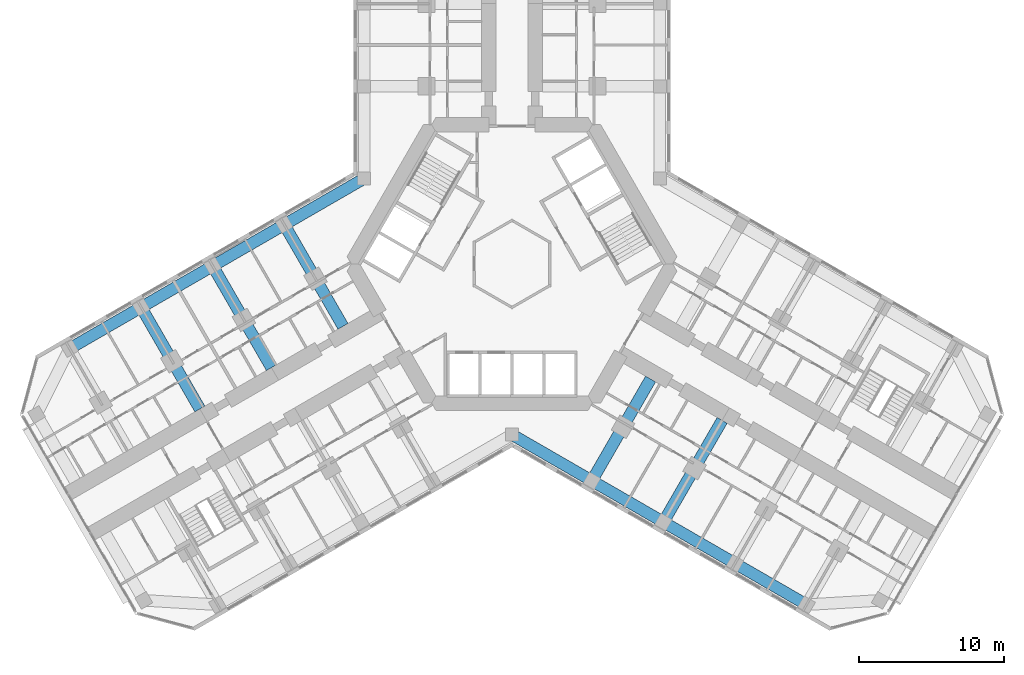
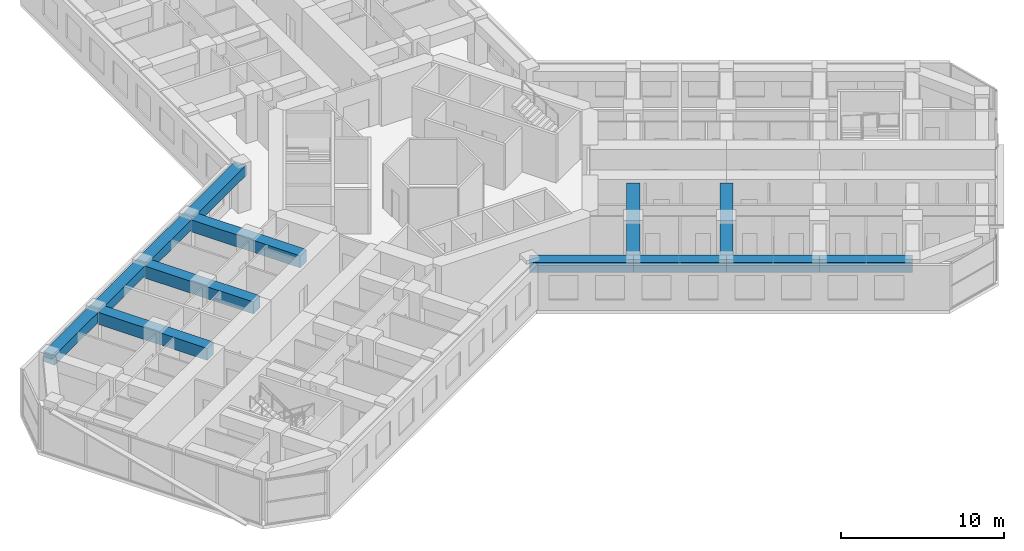
# One storey, part 4 of 22: 13 beams.
"""IFC4 building model written with IfcOpenShell, lengths in metres."""

from ifc_helpers import new_model, si_unit, direction, frame, origin, origin_2d, place, context, subcontext, project, spatial, rectangle, extrude, material, material_profile, profile_set, type_object, element, save


model = new_model("IFC4")

# Units and contexts
model_context = context("Model", 3, precision=1e-05, world=origin(), true_north=direction((0.0, 1.0)))
body_context = subcontext(model_context, "Body", "Model", "MODEL_VIEW")
ifc_project = project(units=[si_unit("LENGTHUNIT", "METRE"), si_unit("AREAUNIT", "SQUARE_METRE"), si_unit("VOLUMEUNIT", "CUBIC_METRE"), si_unit("PLANEANGLEUNIT", "RADIAN"), si_unit("MASSUNIT", "GRAM", prefix="KILO")], contexts=[model_context])

# Site, building, storey
site_placement = place(None, origin())
site = spatial("IfcSite", under=ifc_project, at=site_placement, CompositionType="ELEMENT")
building_placement = place(site_placement, origin())
building = spatial("IfcBuilding", under=site, at=building_placement, Name="Kosmar Iwan School Tower", CompositionType="ELEMENT")
storey_placement = place(building_placement, frame((0.0, 0.0, 95.199951171875)))
storey = spatial("IfcBuildingStorey", under=building, at=storey_placement, Name="L23", CompositionType="ELEMENT", Elevation=95.199951171875)

# Beams
ifc_material_1 = material(Name="Concrete C50/60", Category="concrete")
ifc_material_profile_1 = material_profile(ifc_material_1, rectangle(XDim=0.800048828125, YDim=0.75, at=origin_2d()), Name="RC 800x750")
ifc_profile_set_1 = profile_set([ifc_material_profile_1], Name="Concrete C50/60")
beam_type_1 = type_object("IfcBeamType", Name="RC edge beam 800x750", PredefinedType="BEAM", material=ifc_profile_set_1)
beam_1_placement = place(storey_placement, frame((-10.199951171875, 5.888916015625, 2.97509765625), z_axis=(-0.866030912664, -0.49999045822, 0.0), x_axis=(0.49999045822, -0.866030912664, 0.0)))
element("IfcBeam", 1, at=beam_1_placement, inside=storey, type_object=beam_type_1, Name="Edge beam BR1", PredefinedType="BEAM", context=body_context, shape_type="SweptSolid", body=[
    extrude(rectangle(XDim=0.800048828125, YDim=0.75, at=origin_2d()), origin(), (0.0, 0.0, 1.0), 6.36083984375),
])
beam_2_placement = place(storey_placement, frame((-15.708740234375, 2.70849609375, 2.97509765625), z_axis=(-0.866025820012, -0.499999279071, 0.0), x_axis=(0.499999279071, -0.866025820012, 0.0)))
element("IfcBeam", 2, at=beam_2_placement, inside=storey, type_object=beam_type_1, Name="Edge beam BR2", PredefinedType="BEAM", context=body_context, shape_type="SweptSolid", body=[
    extrude(rectangle(XDim=0.800048828125, YDim=0.75, at=origin_2d()), origin(), (0.0, 0.0, 1.0), 5.7001953125),
])
for number, where, z_axis, x_axis, name in (
    (3, (-20.645263671875, -0.1416015625, 2.97509765625), (-0.866033658841, -0.49998570155, 0.0), (0.49998570155, -0.866033658841, 0.0), "Edge beam BR3"),
    (4, (-25.58154296875, -2.991455078125, 2.97509765625), (-0.866015111908, -0.50001782563, 0.0), (0.50001782563, -0.866015111908, 0.0), "Edge beam BR4"),
):
    element("IfcBeam", number, at=place(storey_placement, frame(where, z_axis=z_axis, x_axis=x_axis)), inside=storey, type_object=beam_type_1, Name=name, PredefinedType="BEAM", context=body_context, shape_type="SweptSolid", body=[
        extrude(rectangle(XDim=0.800048828125, YDim=0.75, at=origin_2d()), origin(), (0.0, 0.0, 1.0), 5.699951171875),
    ])
beam_3_placement = place(storey_placement, frame((0.0, -11.77783203125, 2.97509765625), z_axis=(0.866014293216, -0.500019243575, 0.0), x_axis=(0.500019243575, 0.866014293216, 0.0)))
element("IfcBeam", 5, at=beam_3_placement, inside=storey, type_object=beam_type_1, Name="Edge beam CR1", PredefinedType="BEAM", context=body_context, shape_type="SweptSolid", body=[
    extrude(rectangle(XDim=0.800048828125, YDim=0.75, at=origin_2d()), origin(), (0.0, 0.0, 1.0), 6.361083984375),
])
beam_4_placement = place(storey_placement, frame((5.5087890625, -14.95849609375, 2.97509765625), z_axis=(0.866033658841, -0.49998570155, 0.0), x_axis=(0.49998570155, 0.866033658841, 0.0)))
element("IfcBeam", 6, at=beam_4_placement, inside=storey, type_object=beam_type_1, Name="Edge beam CR2", PredefinedType="BEAM", context=body_context, shape_type="SweptSolid", body=[
    extrude(rectangle(XDim=0.800048828125, YDim=0.75, at=origin_2d()), origin(), (0.0, 0.0, 1.0), 5.699951171875),
])
beam_5_placement = place(storey_placement, frame((10.445068359375, -17.808349609375, 2.97509765625), z_axis=(0.866025820012, -0.499999279071, 0.0), x_axis=(0.499999279071, 0.866025820012, 0.0)))
element("IfcBeam", 7, at=beam_5_placement, inside=storey, type_object=beam_type_1, Name="Edge beam CR3", PredefinedType="BEAM", context=body_context, shape_type="SweptSolid", body=[
    extrude(rectangle(XDim=0.800048828125, YDim=0.75, at=origin_2d()), origin(), (0.0, 0.0, 1.0), 5.7001953125),
])
beam_6_placement = place(storey_placement, frame((15.381591796875, -20.658447265625, 2.97509765625), z_axis=(0.866015111908, -0.50001782563, 0.0), x_axis=(0.50001782563, 0.866015111908, 0.0)))
element("IfcBeam", 8, at=beam_6_placement, inside=storey, type_object=beam_type_1, Name="Edge beam CR4", PredefinedType="BEAM", context=body_context, shape_type="SweptSolid", body=[
    extrude(rectangle(XDim=0.800048828125, YDim=0.75, at=origin_2d()), origin(), (0.0, 0.0, 1.0), 5.699951171875),
])
ifc_material_2 = material(Name="Concrete C50/60", Category="concrete")
ifc_material_profile_2 = material_profile(ifc_material_2, rectangle(XDim=0.800048828125, YDim=0.89990234375, at=origin_2d()), Name="RC 800x900")
ifc_profile_set_2 = profile_set([ifc_material_profile_2], Name="Concrete C50/60")
beam_type_2 = type_object("IfcBeamType", Name="RC transverse beam 800x900", PredefinedType="BEAM", material=ifc_profile_set_2)
beam_7_placement = place(storey_placement, frame((-15.708740234375, 2.70849609375, 2.900146484375), z_axis=(0.499999880539, -0.866025472755, 0.0), x_axis=(0.866025472755, 0.499999880539, 0.0)))
element("IfcBeam", 9, at=beam_7_placement, inside=storey, type_object=beam_type_2, Name="Transverse beam BR1", PredefinedType="BEAM", context=body_context, shape_type="SweptSolid", body=[
    extrude(rectangle(XDim=0.800048828125, YDim=0.89990234375, at=origin_2d()), origin(), (0.0, 0.0, 1.0), 8.10009765625),
])
beam_8_placement = place(storey_placement, frame((-20.645263671875, -0.1416015625, 2.900146484375), z_axis=(0.500012932018, -0.866017937352, 0.0), x_axis=(0.866017937352, 0.500012932018, 0.0)))
element("IfcBeam", 10, at=beam_8_placement, inside=storey, type_object=beam_type_2, Name="Transverse beam BR2", PredefinedType="BEAM", context=body_context, shape_type="SweptSolid", body=[
    extrude(rectangle(XDim=0.800048828125, YDim=0.89990234375, at=origin_2d()), origin(), (0.0, 0.0, 1.0), 8.099853515625),
])
for number, where, z_axis, x_axis, name in (
    (11, (-25.58154296875, -2.991455078125, 2.900146484375), (0.499999880539, -0.866025472755, 0.0), (0.866025472755, 0.499999880539, 0.0), "Transverse beam BR3"),
    (12, (5.5087890625, -14.95849609375, 2.900146484375), (0.499999880539, 0.866025472755, 0.0), (-0.866025472755, 0.499999880539, 0.0), "Transverse beam CR1"),
):
    element("IfcBeam", number, at=place(storey_placement, frame(where, z_axis=z_axis, x_axis=x_axis)), inside=storey, type_object=beam_type_2, Name=name, PredefinedType="BEAM", context=body_context, shape_type="SweptSolid", body=[
        extrude(rectangle(XDim=0.800048828125, YDim=0.89990234375, at=origin_2d()), origin(), (0.0, 0.0, 1.0), 8.10009765625),
    ])
beam_9_placement = place(storey_placement, frame((10.445068359375, -17.808349609375, 2.900146484375), z_axis=(0.500012932018, 0.866017937352, 0.0), x_axis=(-0.866017937352, 0.500012932018, 0.0)))
element("IfcBeam", 13, at=beam_9_placement, inside=storey, type_object=beam_type_2, Name="Transverse beam CR2", PredefinedType="BEAM", context=body_context, shape_type="SweptSolid", body=[
    extrude(rectangle(XDim=0.800048828125, YDim=0.89990234375, at=origin_2d()), origin(), (0.0, 0.0, 1.0), 8.099853515625),
])

save(model, "model.ifc")
